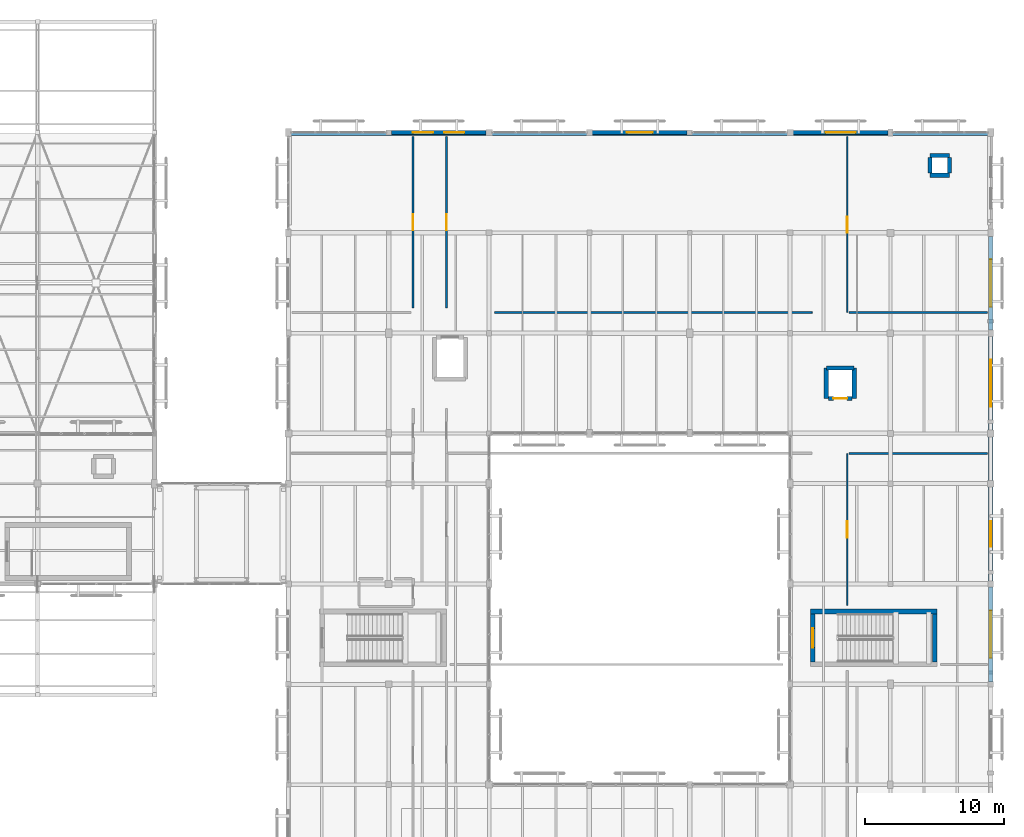
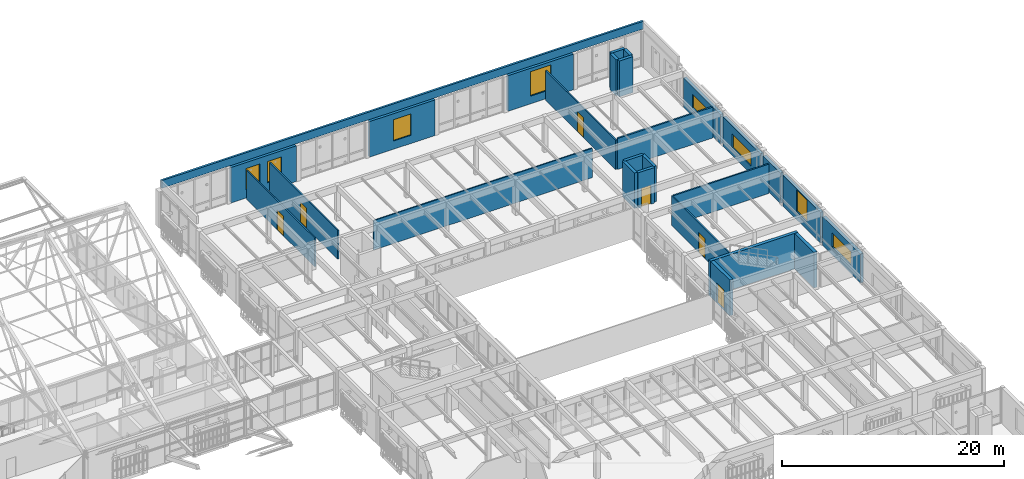
# One storey, part 187 of 217: 27 walls, 8 windows, 6 doors, 14 openings.
"""IFC4 building model written with IfcOpenShell, lengths in metres."""

from ifc_helpers import new_model, si_unit, direction, frame, frame_2d, origin, place, context, subcontext, project, spatial, rectangle, extrude, material, layer, layer_set, type_object, element, fill, save


model = new_model("IFC4")

# Units and contexts
model_context = context("Model", 3, precision=1e-05, world=origin(), true_north=direction((0.0, 1.0)))
body_context = subcontext(model_context, "Body", "Model", "MODEL_VIEW")
ifc_project = project(units=[si_unit("LENGTHUNIT", "METRE"), si_unit("AREAUNIT", "SQUARE_METRE"), si_unit("VOLUMEUNIT", "CUBIC_METRE"), si_unit("PLANEANGLEUNIT", "RADIAN"), si_unit("MASSUNIT", "GRAM", prefix="KILO")], contexts=[model_context])

# Site, building, storey
site_placement = place(None, origin())
site = spatial("IfcSite", under=ifc_project, at=site_placement, CompositionType="ELEMENT")
building_placement = place(site_placement, origin())
building = spatial("IfcBuilding", under=site, at=building_placement, Name="Mazaris Harbour Polytechnic", CompositionType="ELEMENT")
storey_placement = place(building_placement, frame((0.0, 0.0, 9.60009765625)))
storey = spatial("IfcBuildingStorey", under=building, at=storey_placement, Name="L02", CompositionType="ELEMENT", Elevation=9.60009765625)

# Walls
ifc_material_1 = material(Name="Gypsum Board and Mineral Wool")
ifc_layer_1 = layer(ifc_material_1, 0.1201171875, Name="Gypsum Board and Mineral Wool")
ifc_layer_set_1 = layer_set([ifc_layer_1], Name="Gypsum Board and Mineral Wool")
wall_type_1 = type_object("IfcWallType", Name="Acoustic Stud Partition 120", PredefinedType="PARTITIONING", material=ifc_layer_set_1)
wall_1_placement = place(storey_placement, frame((137.205078125, 95.074951171875, 0.0), z_axis=(0.0, 0.0, 1.0), x_axis=(1.0, 0.0, 0.0)))
element("IfcWall", 1, at=wall_1_placement, inside=storey, type_object=wall_type_1, Name="V5 L02 Partition 616", PredefinedType="PARTITIONING", context=body_context, shape_type="SweptSolid", body=[
    extrude(rectangle(XDim=22.77490234375, YDim=0.1201171875, at=frame_2d((11.387451171875, 0.0))), origin(), (0.0, 0.0, 1.0), 3.239990234375),
])
ifc_material_2 = material(Name="Double Gypsum and Mineral Wool")
ifc_layer_2 = layer(ifc_material_2, 0.14990234375, Name="Double Gypsum and Mineral Wool")
ifc_layer_set_2 = layer_set([ifc_layer_2], Name="Double Gypsum and Mineral Wool")
wall_type_2 = type_object("IfcWallType", Name="Classroom Acoustic Partition 150", PredefinedType="PARTITIONING", material=ifc_layer_set_2)
wall_2_placement = place(storey_placement, frame((162.6201171875, 84.97509765625, 0.0), z_axis=(0.0, 0.0, 1.0), x_axis=(1.0, 0.0, 0.0)))
element("IfcWall", 2, at=wall_2_placement, inside=storey, type_object=wall_type_2, Name="V5 L02 Partition 623", PredefinedType="PARTITIONING", context=body_context, shape_type="SweptSolid", body=[
    extrude(rectangle(XDim=9.929931640625, YDim=0.14990234375, at=frame_2d((4.96484375, 0.0))), origin(), (0.0, 0.0, 1.0), 3.239990234375),
])
ifc_material_3 = material(Name="Fireboard and Mineral Wool")
ifc_layer_3 = layer(ifc_material_3, 0.1650390625, Name="Fireboard and Mineral Wool")
ifc_layer_set_3 = layer_set([ifc_layer_3], Name="Fireboard and Mineral Wool")
wall_type_3 = type_object("IfcWallType", Name="Laboratory Rated Partition 165", PredefinedType="PARTITIONING", material=ifc_layer_set_3)
wall_3_placement = place(storey_placement, frame((162.6201171875, 95.074951171875, 0.0), z_axis=(0.0, 0.0, 1.0), x_axis=(1.0, 0.0, 0.0)))
element("IfcWall", 3, at=wall_3_placement, inside=storey, type_object=wall_type_3, Name="V5 L02 Partition 624", PredefinedType="PARTITIONING", context=body_context, shape_type="SweptSolid", body=[
    extrude(rectangle(XDim=9.929931640625, YDim=0.1650390625, at=frame_2d((4.96484375, 0.0))), origin(), (0.0, 0.0, 1.0), 3.39990234375),
])

# Wall, openings, windows
ifc_material_4 = material(Name="Algerian Buff Limestone and Mineral Wool", Category="masonry")
ifc_layer_4 = layer(ifc_material_4, 0.31005859375, Name="Algerian Buff Limestone and Mineral Wool")
ifc_layer_set_4 = layer_set([ifc_layer_4], Name="Algerian Buff Limestone and Mineral Wool")
wall_type_4 = type_object("IfcWallType", Name="Limestone Studio Wall 310", PredefinedType="STANDARD", material=ifc_layer_set_4)
wall_4_placement = place(storey_placement, frame((129.781982421875, 108.0, 0.0), z_axis=(0.0, 0.0, 1.0), x_axis=(1.0, 0.0, 0.0)))
wall_4 = element("IfcWall", 4, at=wall_4_placement, inside=storey, type_object=wall_type_4, Name="V5 L02 Exterior Wall 339", PredefinedType="STANDARD", context=body_context, shape_type="SweptSolid", body=[
    extrude(rectangle(XDim=6.7958984375, YDim=0.31005859375, at=frame_2d((3.39794921875, 0.0))), origin(), (0.0, 0.0, 1.0), 3.919921875),
])
opening_1_placement = place(wall_4_placement, frame((1.548095703125, 0.0, 0.89990234375)))
opening_1 = element("IfcOpeningElement", 5, at=opening_1_placement, cuts=wall_4, Name="Opening WN-19", PredefinedType="OPENING", context=body_context, shape_type="SweptSolid", body=[
    extrude(rectangle(XDim=1.449951171875, YDim=2.35009765625, at=frame_2d((0.72509765625, 1.175048828125))), frame((0.0, 0.1650390625, 0.0), z_axis=(0.0, -1.0, 0.0), x_axis=(1.0, 0.0, 0.0)), (0.0, 0.0, 1.0), 0.330078125),
])
opening_2_placement = place(wall_4_placement, frame((3.798095703125, 0.0, 0.89990234375)))
opening_2 = element("IfcOpeningElement", 6, at=opening_2_placement, cuts=wall_4, Name="Opening WN-19", PredefinedType="OPENING", context=body_context, shape_type="SweptSolid", body=[
    extrude(rectangle(XDim=1.449951171875, YDim=2.35009765625, at=frame_2d((0.72509765625, 1.175048828125))), frame((0.0, 0.1650390625, 0.0), z_axis=(0.0, -1.0, 0.0), x_axis=(1.0, 0.0, 0.0)), (0.0, 0.0, 1.0), 0.330078125),
])
ifc_material_5 = material(Name="Thermally Broken Bronze Aluminium and Low-E Glass", Category="aluminium")
window_type_1 = type_object("IfcWindowType", Name="Courtyard Gallery Window 1450x2350", PartitioningType="DOUBLE_PANEL_VERTICAL", PredefinedType="WINDOW", material=ifc_material_5)
window_1_placement = place(opening_1_placement, origin())
window_1 = element("IfcWindow", 7, at=window_1_placement, inside=storey, type_object=window_type_1, Name="WN-0390", OverallHeight=2.35009765625, OverallWidth=1.449951171875, PartitioningType="DOUBLE_PANEL_VERTICAL", PredefinedType="WINDOW", context=body_context, shape_type="SweptSolid", body=[
    extrude(rectangle(XDim=1.449951171875, YDim=2.35009765625, at=frame_2d((0.72509765625, 1.175048828125))), frame((0.0, 0.030029296875, 0.0), z_axis=(0.0, -1.0, 0.0), x_axis=(1.0, 0.0, 0.0)), (0.0, 0.0, 1.0), 0.06005859375),
])
fill(opening_1, window_1)
window_2_placement = place(opening_2_placement, origin())
window_2 = element("IfcWindow", 8, at=window_2_placement, inside=storey, type_object=window_type_1, Name="WN-0391", OverallHeight=2.35009765625, OverallWidth=1.449951171875, PartitioningType="DOUBLE_PANEL_VERTICAL", PredefinedType="WINDOW", context=body_context, shape_type="SweptSolid", body=[
    extrude(rectangle(XDim=1.449951171875, YDim=2.35009765625, at=frame_2d((0.72509765625, 1.175048828125))), frame((0.0, 0.030029296875, 0.0), z_axis=(0.0, -1.0, 0.0), x_axis=(1.0, 0.0, 0.0)), (0.0, 0.0, 1.0), 0.06005859375),
])
fill(opening_2, window_2)

# Wall, opening, window
wall_5_placement = place(storey_placement, frame((144.201904296875, 108.0, 0.0), z_axis=(0.0, 0.0, 1.0), x_axis=(1.0, 0.0, 0.0)))
wall_5 = element("IfcWall", 9, at=wall_5_placement, inside=storey, type_object=wall_type_4, Name="V5 L02 Exterior Wall 340", PredefinedType="STANDARD", context=body_context, shape_type="SweptSolid", body=[
    extrude(rectangle(XDim=6.816162109375, YDim=0.31005859375, at=frame_2d((3.408203125, 0.0))), origin(), (0.0, 0.0, 1.0), 3.919921875),
])
opening_3_placement = place(wall_5_placement, frame((2.48291015625, 0.0, 0.89990234375)))
opening_3 = element("IfcOpeningElement", 10, at=opening_3_placement, cuts=wall_5, Name="Opening WN-21", PredefinedType="OPENING", context=body_context, shape_type="SweptSolid", body=[
    extrude(rectangle(XDim=1.85009765625, YDim=2.35009765625, at=frame_2d((0.925048828125, 1.175048828125))), frame((0.0, 0.1650390625, 0.0), z_axis=(0.0, -1.0, 0.0), x_axis=(1.0, 0.0, 0.0)), (0.0, 0.0, 1.0), 0.330078125),
])
ifc_material_6 = material(Name="Thermally Broken Bronze Aluminium and Low-E Glass", Category="aluminium")
window_type_2 = type_object("IfcWindowType", Name="Courtyard Gallery Window 1850x2350", PartitioningType="DOUBLE_PANEL_VERTICAL", PredefinedType="WINDOW", material=ifc_material_6)
window_3_placement = place(opening_3_placement, origin())
window_3 = element("IfcWindow", 11, at=window_3_placement, inside=storey, type_object=window_type_2, Name="WN-0392", OverallHeight=2.35009765625, OverallWidth=1.85009765625, PartitioningType="DOUBLE_PANEL_VERTICAL", PredefinedType="WINDOW", context=body_context, shape_type="SweptSolid", body=[
    extrude(rectangle(XDim=1.85009765625, YDim=2.35009765625, at=frame_2d((0.925048828125, 1.175048828125))), frame((0.0, 0.030029296875, 0.0), z_axis=(0.0, -1.0, 0.0), x_axis=(1.0, 0.0, 0.0)), (0.0, 0.0, 1.0), 0.06005859375),
])
fill(opening_3, window_3)

wall_6_placement = place(storey_placement, frame((158.6220703125, 108.0, 0.0), z_axis=(0.0, 0.0, 1.0), x_axis=(1.0, 0.0, 0.0)))
wall_6 = element("IfcWall", 12, at=wall_6_placement, inside=storey, type_object=wall_type_4, Name="V5 L02 Exterior Wall 341", PredefinedType="STANDARD", context=body_context, shape_type="SweptSolid", body=[
    extrude(rectangle(XDim=6.805908203125, YDim=0.31005859375, at=frame_2d((3.40283203125, 0.0))), origin(), (0.0, 0.0, 1.0), 3.919921875),
])
opening_4_placement = place(wall_6_placement, frame((2.327880859375, 0.0, 0.85009765625)))
opening_4 = element("IfcOpeningElement", 13, at=opening_4_placement, cuts=wall_6, Name="Opening WN-23", PredefinedType="OPENING", context=body_context, shape_type="SweptSolid", body=[
    extrude(rectangle(XDim=2.14990234375, YDim=2.699951171875, at=frame_2d((1.074951171875, 1.35009765625))), frame((0.0, 0.1650390625, 0.0), z_axis=(0.0, -1.0, 0.0), x_axis=(1.0, 0.0, 0.0)), (0.0, 0.0, 1.0), 0.330078125),
])
ifc_material_7 = material(Name="Thermally Broken Bronze Aluminium and Low-E Glass", Category="aluminium")
window_type_3 = type_object("IfcWindowType", Name="Harbour Promenade Window 2150x2700", PartitioningType="DOUBLE_PANEL_VERTICAL", PredefinedType="WINDOW", material=ifc_material_7)
window_4_placement = place(opening_4_placement, origin())
window_4 = element("IfcWindow", 14, at=window_4_placement, inside=storey, type_object=window_type_3, Name="WN-0393", OverallHeight=2.699951171875, OverallWidth=2.14990234375, PartitioningType="DOUBLE_PANEL_VERTICAL", PredefinedType="WINDOW", context=body_context, shape_type="SweptSolid", body=[
    extrude(rectangle(XDim=2.14990234375, YDim=2.699951171875, at=frame_2d((1.074951171875, 1.35009765625))), frame((0.0, 0.030029296875, 0.0), z_axis=(0.0, -1.0, 0.0), x_axis=(1.0, 0.0, 0.0)), (0.0, 0.0, 1.0), 0.06005859375),
])
fill(opening_4, window_4)

wall_7_placement = place(storey_placement, frame((172.800048828125, 75.39794921875, 0.0), z_axis=(0.0, 0.0, 1.0), x_axis=(0.0, -1.0, 0.0)))
wall_7 = element("IfcWall", 15, at=wall_7_placement, inside=storey, type_object=wall_type_4, Name="V5 L02 Exterior Wall 349", PredefinedType="STANDARD", context=body_context, shape_type="SweptSolid", body=[
    extrude(rectangle(XDim=6.81591796875, YDim=0.31005859375, at=frame_2d((3.407958984375, 0.0))), origin(), (0.0, 0.0, 1.0), 3.179931640625),
])
opening_5_placement = place(wall_7_placement, frame((1.7080078125, 0.0, 0.89990234375)))
opening_5 = element("IfcOpeningElement", 16, at=opening_5_placement, cuts=wall_7, Name="Opening WN-16", PredefinedType="OPENING", context=body_context, shape_type="SweptSolid", body=[
    extrude(rectangle(XDim=3.39990234375, YDim=1.5, at=frame_2d((1.699951171875, 0.75))), frame((0.0, 0.1650390625, 0.0), z_axis=(0.0, -1.0, 0.0), x_axis=(1.0, 0.0, 0.0)), (0.0, 0.0, 1.0), 0.330078125),
])
ifc_material_8 = material(Name="Thermally Broken Bronze Aluminium and Low-E Glass", Category="aluminium")
window_type_4 = type_object("IfcWindowType", Name="Workshop Clerestory Ribbon 3400x1500", PartitioningType="DOUBLE_PANEL_VERTICAL", PredefinedType="WINDOW", material=ifc_material_8)
window_5_placement = place(opening_5_placement, origin())
window_5 = element("IfcWindow", 17, at=window_5_placement, inside=storey, type_object=window_type_4, Name="WN-0400", OverallHeight=1.5, OverallWidth=3.39990234375, PartitioningType="DOUBLE_PANEL_VERTICAL", PredefinedType="WINDOW", context=body_context, shape_type="SweptSolid", body=[
    extrude(rectangle(XDim=3.39990234375, YDim=1.5, at=frame_2d((1.699951171875, 0.75))), frame((0.0, 0.030029296875, 0.0), z_axis=(0.0, -1.0, 0.0), x_axis=(1.0, 0.0, 0.0)), (0.0, 0.0, 1.0), 0.06005859375),
])
fill(opening_5, window_5)

wall_8_placement = place(storey_placement, frame((172.800048828125, 82.577880859375, 0.0), z_axis=(0.0, 0.0, 1.0), x_axis=(0.0, -1.0, 0.0)))
wall_8 = element("IfcWall", 18, at=wall_8_placement, inside=storey, type_object=wall_type_4, Name="V5 L02 Exterior Wall 350", PredefinedType="STANDARD", context=body_context, shape_type="SweptSolid", body=[
    extrude(rectangle(XDim=6.77587890625, YDim=0.31005859375, at=frame_2d((3.387939453125, 0.0))), origin(), (0.0, 0.0, 1.0), 3.39990234375),
])
opening_6_placement = place(wall_8_placement, frame((2.462890625, 0.0, 0.89990234375)))
opening_6 = element("IfcOpeningElement", 19, at=opening_6_placement, cuts=wall_8, Name="Opening WN-21", PredefinedType="OPENING", context=body_context, shape_type="SweptSolid", body=[
    extrude(rectangle(XDim=1.85009765625, YDim=2.35009765625, at=frame_2d((0.925048828125, 1.175048828125))), frame((0.0, 0.1650390625, 0.0), z_axis=(0.0, -1.0, 0.0), x_axis=(1.0, 0.0, 0.0)), (0.0, 0.0, 1.0), 0.330078125),
])
window_6_placement = place(opening_6_placement, origin())
window_6 = element("IfcWindow", 20, at=window_6_placement, inside=storey, type_object=window_type_2, Name="WN-0401", OverallHeight=2.35009765625, OverallWidth=1.85009765625, PartitioningType="DOUBLE_PANEL_VERTICAL", PredefinedType="WINDOW", context=body_context, shape_type="SweptSolid", body=[
    extrude(rectangle(XDim=1.85009765625, YDim=2.35009765625, at=frame_2d((0.925048828125, 1.175048828125))), frame((0.0, 0.030029296875, 0.0), z_axis=(0.0, -1.0, 0.0), x_axis=(1.0, 0.0, 0.0)), (0.0, 0.0, 1.0), 0.06005859375),
])
fill(opening_6, window_6)

# Wall
wall_9_placement = place(storey_placement, frame((172.800048828125, 86.157958984375, 0.0), z_axis=(0.0, 0.0, 1.0), x_axis=(0.0, -1.0, 0.0)))
element("IfcWall", 21, at=wall_9_placement, inside=storey, type_object=wall_type_4, Name="V5 L02 Exterior Wall 351", PredefinedType="STANDARD", context=body_context, shape_type="SweptSolid", body=[
    extrude(rectangle(XDim=3.135986328125, YDim=0.31005859375, at=frame_2d((1.56787109375, 0.0))), origin(), (0.0, 0.0, 1.0), 3.33984375),
])

# Wall, opening, window
wall_10_placement = place(storey_placement, frame((172.800048828125, 93.367919921875, 0.0), z_axis=(0.0, 0.0, 1.0), x_axis=(0.0, -1.0, 0.0)))
wall_10 = element("IfcWall", 22, at=wall_10_placement, inside=storey, type_object=wall_type_4, Name="V5 L02 Exterior Wall 352", PredefinedType="STANDARD", context=body_context, shape_type="SweptSolid", body=[
    extrude(rectangle(XDim=6.725830078125, YDim=0.31005859375, at=frame_2d((3.36279296875, 0.0))), origin(), (0.0, 0.0, 1.0), 3.27978515625),
])
opening_7_placement = place(wall_10_placement, frame((1.6630859375, 0.0, 0.89990234375)))
opening_7 = element("IfcOpeningElement", 23, at=opening_7_placement, cuts=wall_10, Name="Opening WN-16", PredefinedType="OPENING", context=body_context, shape_type="SweptSolid", body=[
    extrude(rectangle(XDim=3.39990234375, YDim=1.5, at=frame_2d((1.699951171875, 0.75))), frame((0.0, 0.1650390625, 0.0), z_axis=(0.0, -1.0, 0.0), x_axis=(1.0, 0.0, 0.0)), (0.0, 0.0, 1.0), 0.330078125),
])
window_7_placement = place(opening_7_placement, origin())
window_7 = element("IfcWindow", 24, at=window_7_placement, inside=storey, type_object=window_type_4, Name="WN-0402", OverallHeight=1.5, OverallWidth=3.39990234375, PartitioningType="DOUBLE_PANEL_VERTICAL", PredefinedType="WINDOW", context=body_context, shape_type="SweptSolid", body=[
    extrude(rectangle(XDim=3.39990234375, YDim=1.5, at=frame_2d((1.699951171875, 0.75))), frame((0.0, 0.030029296875, 0.0), z_axis=(0.0, -1.0, 0.0), x_axis=(1.0, 0.0, 0.0)), (0.0, 0.0, 1.0), 0.06005859375),
])
fill(opening_7, window_7)

wall_11_placement = place(storey_placement, frame((172.800048828125, 100.5380859375, 0.0), z_axis=(0.0, 0.0, 1.0), x_axis=(0.0, -1.0, 0.0)))
wall_11 = element("IfcWall", 25, at=wall_11_placement, inside=storey, type_object=wall_type_4, Name="V5 L02 Exterior Wall 353", PredefinedType="STANDARD", context=body_context, shape_type="SweptSolid", body=[
    extrude(rectangle(XDim=6.7060546875, YDim=0.31005859375, at=frame_2d((3.35302734375, 0.0))), origin(), (0.0, 0.0, 1.0), 3.239990234375),
])
opening_8_placement = place(wall_11_placement, frame((1.653076171875, 0.0, 0.89990234375)))
opening_8 = element("IfcOpeningElement", 26, at=opening_8_placement, cuts=wall_11, Name="Opening WN-16", PredefinedType="OPENING", context=body_context, shape_type="SweptSolid", body=[
    extrude(rectangle(XDim=3.39990234375, YDim=1.5, at=frame_2d((1.699951171875, 0.75))), frame((0.0, 0.1650390625, 0.0), z_axis=(0.0, -1.0, 0.0), x_axis=(1.0, 0.0, 0.0)), (0.0, 0.0, 1.0), 0.330078125),
])
window_8_placement = place(opening_8_placement, origin())
window_8 = element("IfcWindow", 27, at=window_8_placement, inside=storey, type_object=window_type_4, Name="WN-0403", OverallHeight=1.5, OverallWidth=3.39990234375, PartitioningType="DOUBLE_PANEL_VERTICAL", PredefinedType="WINDOW", context=body_context, shape_type="SweptSolid", body=[
    extrude(rectangle(XDim=3.39990234375, YDim=1.5, at=frame_2d((1.699951171875, 0.75))), frame((0.0, 0.030029296875, 0.0), z_axis=(0.0, -1.0, 0.0), x_axis=(1.0, 0.0, 0.0)), (0.0, 0.0, 1.0), 0.06005859375),
])
fill(opening_8, window_8)

# Walls
ifc_material_9 = material(Name="Concrete C40/50", Category="concrete")
ifc_layer_5 = layer(ifc_material_9, 0.324951171875, Name="Concrete C40/50")
ifc_layer_set_5 = layer_set([ifc_layer_5], Name="Concrete C40/50")
wall_type_5 = type_object("IfcWallType", Name="RC Core Shear Wall 325", PredefinedType="SHEAR", material=ifc_layer_set_5)
wall_12_placement = place(storey_placement, frame((168.949951171875, 73.625, 0.0), z_axis=(0.0, 0.0, 1.0), x_axis=(-1.0, 0.0, 0.0)))
element("IfcWall", 28, at=wall_12_placement, inside=storey, type_object=wall_type_5, Name="Core ST10 L02 Shear Wall N", PredefinedType="SHEAR", context=body_context, shape_type="SweptSolid", body=[
    extrude(rectangle(XDim=9.099853515625, YDim=0.324951171875, at=frame_2d((4.5498046875, 0.0))), origin(), (0.0, 0.0, 1.0), 3.919921875),
])
wall_13_placement = place(storey_placement, frame((168.77490234375, 70.0, 0.0), z_axis=(0.0, 0.0, 1.0), x_axis=(0.0, 1.0, 0.0)))
element("IfcWall", 29, at=wall_13_placement, inside=storey, type_object=wall_type_5, Name="Core ST10 L02 Shear Wall E", PredefinedType="SHEAR", context=body_context, shape_type="SweptSolid", body=[
    extrude(rectangle(XDim=3.449951171875, YDim=0.324951171875, at=frame_2d((1.72509765625, 0.0))), origin(), (0.0, 0.0, 1.0), 3.919921875),
])

# Wall, opening, door
wall_14_placement = place(storey_placement, frame((160.02490234375, 73.449951171875, 0.0), z_axis=(0.0, 0.0, 1.0), x_axis=(0.0, -1.0, 0.0)))
wall_14 = element("IfcWall", 30, at=wall_14_placement, inside=storey, type_object=wall_type_5, Name="Core ST10 L02 Entrance Shear Wall", PredefinedType="SHEAR", context=body_context, shape_type="SweptSolid", body=[
    extrude(rectangle(XDim=3.449951171875, YDim=0.324951171875, at=frame_2d((1.72509765625, 0.0))), origin(), (0.0, 0.0, 1.0), 3.919921875),
])
opening_9_placement = place(wall_14_placement, frame((1.034912109375, 0.0, 0.0)))
opening_9 = element("IfcOpeningElement", 31, at=opening_9_placement, cuts=wall_14, Name="Opening SD-01", PredefinedType="OPENING", context=body_context, shape_type="SweptSolid", body=[
    extrude(rectangle(XDim=1.3798828125, YDim=2.199951171875, at=frame_2d((0.68994140625, 1.10009765625))), frame((0.0, 0.17236328125, 0.0), z_axis=(0.0, -1.0, 0.0), x_axis=(1.0, 0.0, 0.0)), (0.0, 0.0, 1.0), 0.344970703125),
])
ifc_material_10 = material(Name="Glulam Timber and Fire Glass", Category="wood")
door_type_1 = type_object("IfcDoorType", Name="Protected Stair Lobby Fire Door 1380x2200", OperationType="DOUBLE_DOOR_SINGLE_SWING", PredefinedType="DOOR", material=ifc_material_10)
door_1_placement = place(opening_9_placement, origin())
door_1 = element("IfcDoor", 32, at=door_1_placement, inside=storey, type_object=door_type_1, Name="SD-051", OperationType="DOUBLE_DOOR_SINGLE_SWING", OverallHeight=2.199951171875, OverallWidth=1.3798828125, PredefinedType="DOOR", context=body_context, shape_type="SweptSolid", body=[
    extrude(rectangle(XDim=1.3798828125, YDim=2.199951171875, at=frame_2d((0.68994140625, 1.10009765625))), frame((0.0, 0.02490234375, 0.0), z_axis=(0.0, -1.0, 0.0), x_axis=(1.0, 0.0, 0.0)), (0.0, 0.0, 1.0), 0.050048828125),
])
fill(opening_9, door_1)

# Walls
ifc_material_11 = material(Name="Concrete C40/50", Category="concrete")
ifc_layer_6 = layer(ifc_material_11, 0.300048828125, Name="Concrete C40/50")
ifc_layer_set_6 = layer_set([ifc_layer_6], Name="Concrete C40/50")
wall_type_6 = type_object("IfcWallType", Name="RC Lift Shaft Wall 300", PredefinedType="SHEAR", material=ifc_layer_set_6)
wall_15_placement = place(storey_placement, frame((168.429931640625, 104.929931640625, 0.0), z_axis=(0.0, 0.0, 1.0), x_axis=(1.0, 0.0, 0.0)))
element("IfcWall", 33, at=wall_15_placement, inside=storey, type_object=wall_type_6, Name="V5 L02 Riser Enclosure Wall 2-1", PredefinedType="SHEAR", context=body_context, shape_type="SweptSolid", body=[
    extrude(rectangle(XDim=1.420166015625, YDim=0.300048828125, at=frame_2d((0.7099609375, 0.0))), origin(), (0.0, 0.0, 1.0), 3.9599609375),
])
wall_16_placement = place(storey_placement, frame((169.85009765625, 105.090087890625, 0.0), z_axis=(0.0, 0.0, 1.0), x_axis=(0.0, 1.0, 0.0)))
element("IfcWall", 34, at=wall_16_placement, inside=storey, type_object=wall_type_6, Name="V5 L02 Riser Enclosure Wall 2-2", PredefinedType="SHEAR", context=body_context, shape_type="SweptSolid", body=[
    extrude(rectangle(XDim=1.099853515625, YDim=0.300048828125, at=frame_2d((0.5498046875, 0.0))), origin(), (0.0, 0.0, 1.0), 3.9599609375),
])
wall_17_placement = place(storey_placement, frame((169.85009765625, 106.35009765625, 0.0), z_axis=(0.0, 0.0, 1.0), x_axis=(-1.0, 0.0, 0.0)))
element("IfcWall", 35, at=wall_17_placement, inside=storey, type_object=wall_type_6, Name="V5 L02 Riser Enclosure Wall 2-3", PredefinedType="SHEAR", context=body_context, shape_type="SweptSolid", body=[
    extrude(rectangle(XDim=1.420166015625, YDim=0.300048828125, at=frame_2d((0.7099609375, 0.0))), origin(), (0.0, 0.0, 1.0), 3.9599609375),
])
wall_18_placement = place(storey_placement, frame((168.429931640625, 106.18994140625, 0.0), z_axis=(0.0, 0.0, 1.0), x_axis=(0.0, -1.0, 0.0)))
element("IfcWall", 36, at=wall_18_placement, inside=storey, type_object=wall_type_6, Name="V5 L02 Riser Enclosure Wall 2-4", PredefinedType="SHEAR", context=body_context, shape_type="SweptSolid", body=[
    extrude(rectangle(XDim=1.099853515625, YDim=0.300048828125, at=frame_2d((0.5498046875, 0.0))), origin(), (0.0, 0.0, 1.0), 3.9599609375),
])
wall_19_placement = place(storey_placement, frame((163.0, 91.10009765625, 0.0), z_axis=(0.0, 0.0, 1.0), x_axis=(-1.0, 0.0, 0.0)))
element("IfcWall", 37, at=wall_19_placement, inside=storey, type_object=wall_type_6, Name="Lift LP-04 L02 North Shaft Wall", PredefinedType="SHEAR", context=body_context, shape_type="SweptSolid", body=[
    extrude(rectangle(XDim=2.0, YDim=0.300048828125, at=frame_2d((1.0, 0.0))), origin(), (0.0, 0.0, 1.0), 3.919921875),
])
for number, where, z_axis, x_axis, name in (
    (38, (161.0, 91.10009765625, 0.0), (0.0, 0.0, 1.0), (0.0, -1.0, 0.0), "Lift LP-04 L02 West Shaft Wall"),
    (39, (163.0, 88.89990234375, 0.0), (0.0, 0.0, 1.0), (0.0, 1.0, 0.0), "Lift LP-04 L02 East Shaft Wall"),
):
    element("IfcWall", number, at=place(storey_placement, frame(where, z_axis=z_axis, x_axis=x_axis)), inside=storey, type_object=wall_type_6, Name=name, PredefinedType="SHEAR", context=body_context, shape_type="SweptSolid", body=[
        extrude(rectangle(XDim=2.2001953125, YDim=0.300048828125, at=frame_2d((1.10009765625, 0.0))), origin(), (0.0, 0.0, 1.0), 3.919921875),
    ])

# Wall, opening, door
wall_20_placement = place(storey_placement, frame((162.860107421875, 88.89990234375, 0.0), z_axis=(0.0, 0.0, 1.0), x_axis=(-1.0, 0.0, 0.0)))
wall_20 = element("IfcWall", 40, at=wall_20_placement, inside=storey, type_object=wall_type_6, Name="Lift LP-04 L02 Front Shaft Wall", PredefinedType="SHEAR", context=body_context, shape_type="SweptSolid", body=[
    extrude(rectangle(XDim=1.72021484375, YDim=0.300048828125, at=frame_2d((0.860107421875, 0.0))), origin(), (0.0, 0.0, 1.0), 3.919921875),
])
opening_10_placement = place(wall_20_placement, frame((0.360107421875, 0.0, 0.0)))
opening_10 = element("IfcOpeningElement", 41, at=opening_10_placement, cuts=wall_20, Name="Opening LD-01", PredefinedType="OPENING", context=body_context, shape_type="SweptSolid", body=[
    extrude(rectangle(XDim=1.0, YDim=2.10009765625, at=frame_2d((0.5, 1.050048828125))), frame((0.0, 0.159912109375, 0.0), z_axis=(0.0, -1.0, 0.0), x_axis=(1.0, 0.0, 0.0)), (0.0, 0.0, 1.0), 0.320068359375),
])
ifc_material_12 = material(Name="Stainless Steel S355", Category="steel")
door_type_2 = type_object("IfcDoorType", Name="Sliding Passenger Lift Landing Door 1000x2100", OperationType="SLIDING_TO_LEFT", PredefinedType="DOOR", material=ifc_material_12)
door_2_placement = place(opening_10_placement, origin())
door_2 = element("IfcDoor", 42, at=door_2_placement, inside=storey, type_object=door_type_2, Name="LD-033", OperationType="SLIDING_TO_LEFT", OverallHeight=2.10009765625, OverallWidth=1.0, PredefinedType="DOOR", context=body_context, shape_type="SweptSolid", body=[
    extrude(rectangle(XDim=1.0, YDim=2.10009765625, at=frame_2d((0.5, 1.050048828125))), frame((0.0, 0.02490234375, 0.0), z_axis=(0.0, -1.0, 0.0), x_axis=(1.0, 0.0, 0.0)), (0.0, 0.0, 1.0), 0.050048828125),
])
fill(opening_10, door_2)

ifc_material_13 = material(Name="Gypsum Board and Mineral Wool")
ifc_layer_7 = layer(ifc_material_13, 0.135009765625, Name="Gypsum Board and Mineral Wool")
ifc_layer_set_7 = layer_set([ifc_layer_7], Name="Gypsum Board and Mineral Wool")
wall_type_7 = type_object("IfcWallType", Name="Studio Partition Wall 135", PredefinedType="PARTITIONING", material=ifc_layer_set_7)
wall_21_placement = place(storey_placement, frame((131.35009765625, 95.405029296875, 0.0), z_axis=(0.0, 0.0, 1.0), x_axis=(0.0, 1.0, 0.0)))
wall_21 = element("IfcWall", 43, at=wall_21_placement, inside=storey, type_object=wall_type_7, Name="V5 L02 Partition 609", PredefinedType="PARTITIONING", context=body_context, shape_type="SweptSolid", body=[
    extrude(rectangle(XDim=12.294921875, YDim=0.135009765625, at=frame_2d((6.1474609375, 0.0))), origin(), (0.0, 0.0, 1.0), 3.179931640625),
])
opening_11_placement = place(wall_21_placement, frame((5.5673828125, 0.0, 0.0)))
opening_11 = element("IfcOpeningElement", 44, at=opening_11_placement, cuts=wall_21, Name="Opening ID-03R", PredefinedType="OPENING", context=body_context, shape_type="SweptSolid", body=[
    extrude(rectangle(XDim=1.159912109375, YDim=2.199951171875, at=frame_2d((0.580078125, 1.10009765625))), frame((0.0, 0.077392578125, 0.0), z_axis=(0.0, -1.0, 0.0), x_axis=(1.0, 0.0, 0.0)), (0.0, 0.0, 1.0), 0.155029296875),
])
ifc_material_14 = material(Name="Glulam Timber and Acoustic Glass", Category="wood")
door_type_3 = type_object("IfcDoorType", Name="Design Studio Door RH 1160x2200", OperationType="SINGLE_SWING_RIGHT", PredefinedType="DOOR", material=ifc_material_14)
door_3_placement = place(opening_11_placement, origin())
door_3 = element("IfcDoor", 45, at=door_3_placement, inside=storey, type_object=door_type_3, Name="ID-0296", OperationType="SINGLE_SWING_RIGHT", OverallHeight=2.199951171875, OverallWidth=1.159912109375, PredefinedType="DOOR", context=body_context, shape_type="SweptSolid", body=[
    extrude(rectangle(XDim=1.159912109375, YDim=2.199951171875, at=frame_2d((0.580078125, 1.10009765625))), frame((0.0, 0.02490234375, 0.0), z_axis=(0.0, -1.0, 0.0), x_axis=(1.0, 0.0, 0.0)), (0.0, 0.0, 1.0), 0.050048828125),
])
fill(opening_11, door_3)

wall_22_placement = place(storey_placement, frame((133.75, 95.405029296875, 0.0), z_axis=(0.0, 0.0, 1.0), x_axis=(0.0, 1.0, 0.0)))
wall_22 = element("IfcWall", 46, at=wall_22_placement, inside=storey, type_object=wall_type_7, Name="V5 L02 Partition 617", PredefinedType="PARTITIONING", context=body_context, shape_type="SweptSolid", body=[
    extrude(rectangle(XDim=12.294921875, YDim=0.135009765625, at=frame_2d((6.1474609375, 0.0))), origin(), (0.0, 0.0, 1.0), 3.179931640625),
])
opening_12_placement = place(wall_22_placement, frame((5.572509765625, 0.0, 0.0)))
opening_12 = element("IfcOpeningElement", 47, at=opening_12_placement, cuts=wall_22, Name="Opening ID-03L", PredefinedType="OPENING", context=body_context, shape_type="SweptSolid", body=[
    extrude(rectangle(XDim=1.14990234375, YDim=2.199951171875, at=frame_2d((0.574951171875, 1.10009765625))), frame((0.0, 0.077392578125, 0.0), z_axis=(0.0, -1.0, 0.0), x_axis=(1.0, 0.0, 0.0)), (0.0, 0.0, 1.0), 0.155029296875),
])
ifc_material_15 = material(Name="Glulam Timber and Acoustic Glass", Category="wood")
door_type_4 = type_object("IfcDoorType", Name="Design Studio Door LH 1150x2200", OperationType="SINGLE_SWING_LEFT", PredefinedType="DOOR", material=ifc_material_15)
door_4_placement = place(opening_12_placement, origin())
door_4 = element("IfcDoor", 48, at=door_4_placement, inside=storey, type_object=door_type_4, Name="ID-0300", OperationType="SINGLE_SWING_LEFT", OverallHeight=2.199951171875, OverallWidth=1.14990234375, PredefinedType="DOOR", context=body_context, shape_type="SweptSolid", body=[
    extrude(rectangle(XDim=1.14990234375, YDim=2.199951171875, at=frame_2d((0.574951171875, 1.10009765625))), frame((0.0, 0.02490234375, 0.0), z_axis=(0.0, -1.0, 0.0), x_axis=(1.0, 0.0, 0.0)), (0.0, 0.0, 1.0), 0.050048828125),
])
fill(opening_12, door_4)

wall_23_placement = place(storey_placement, frame((162.5, 74.054931640625, 0.0), z_axis=(0.0, 0.0, 1.0), x_axis=(0.0, 1.0, 0.0)))
wall_23 = element("IfcWall", 49, at=wall_23_placement, inside=storey, type_object=wall_type_7, Name="V5 L02 Partition 622", PredefinedType="PARTITIONING", context=body_context, shape_type="SweptSolid", body=[
    extrude(rectangle(XDim=10.920166015625, YDim=0.135009765625, at=frame_2d((5.4599609375, 0.0))), origin(), (0.0, 0.0, 1.0), 3.239990234375),
])
opening_13_placement = place(wall_23_placement, frame((4.8798828125, 0.0, 0.0)))
opening_13 = element("IfcOpeningElement", 50, at=opening_13_placement, cuts=wall_23, Name="Opening ID-03R", PredefinedType="OPENING", context=body_context, shape_type="SweptSolid", body=[
    extrude(rectangle(XDim=1.159912109375, YDim=2.199951171875, at=frame_2d((0.580078125, 1.10009765625))), frame((0.0, 0.077392578125, 0.0), z_axis=(0.0, -1.0, 0.0), x_axis=(1.0, 0.0, 0.0)), (0.0, 0.0, 1.0), 0.155029296875),
])
door_5_placement = place(opening_13_placement, origin())
door_5 = element("IfcDoor", 51, at=door_5_placement, inside=storey, type_object=door_type_3, Name="ID-0303", OperationType="SINGLE_SWING_RIGHT", OverallHeight=2.199951171875, OverallWidth=1.159912109375, PredefinedType="DOOR", context=body_context, shape_type="SweptSolid", body=[
    extrude(rectangle(XDim=1.159912109375, YDim=2.199951171875, at=frame_2d((0.580078125, 1.10009765625))), frame((0.0, 0.02490234375, 0.0), z_axis=(0.0, -1.0, 0.0), x_axis=(1.0, 0.0, 0.0)), (0.0, 0.0, 1.0), 0.050048828125),
])
fill(opening_13, door_5)

wall_24_placement = place(storey_placement, frame((162.5, 95.074951171875, 0.0), z_axis=(0.0, 0.0, 1.0), x_axis=(0.0, 1.0, 0.0)))
wall_24 = element("IfcWall", 52, at=wall_24_placement, inside=storey, type_object=wall_type_7, Name="V5 L02 Partition 625", PredefinedType="PARTITIONING", context=body_context, shape_type="SweptSolid", body=[
    extrude(rectangle(XDim=12.625, YDim=0.135009765625, at=frame_2d((6.3125, 0.0))), origin(), (0.0, 0.0, 1.0), 3.239990234375),
])
opening_14_placement = place(wall_24_placement, frame((5.732421875, 0.0, 0.0)))
opening_14 = element("IfcOpeningElement", 53, at=opening_14_placement, cuts=wall_24, Name="Opening ID-03R", PredefinedType="OPENING", context=body_context, shape_type="SweptSolid", body=[
    extrude(rectangle(XDim=1.159912109375, YDim=2.199951171875, at=frame_2d((0.580078125, 1.10009765625))), frame((0.0, 0.077392578125, 0.0), z_axis=(0.0, -1.0, 0.0), x_axis=(1.0, 0.0, 0.0)), (0.0, 0.0, 1.0), 0.155029296875),
])
door_6_placement = place(opening_14_placement, origin())
door_6 = element("IfcDoor", 54, at=door_6_placement, inside=storey, type_object=door_type_3, Name="ID-0304", OperationType="SINGLE_SWING_RIGHT", OverallHeight=2.199951171875, OverallWidth=1.159912109375, PredefinedType="DOOR", context=body_context, shape_type="SweptSolid", body=[
    extrude(rectangle(XDim=1.159912109375, YDim=2.199951171875, at=frame_2d((0.580078125, 1.10009765625))), frame((0.0, 0.02490234375, 0.0), z_axis=(0.0, -1.0, 0.0), x_axis=(1.0, 0.0, 0.0)), (0.0, 0.0, 1.0), 0.050048828125),
])
fill(opening_14, door_6)

# Wall
ifc_material_16 = material(Name="Concrete C35/45", Category="concrete")
ifc_layer_8 = layer(ifc_material_16, 0.215087890625, Name="Concrete C35/45")
ifc_layer_set_8 = layer_set([ifc_layer_8], Name="Concrete C35/45")
wall_type_8 = type_object("IfcWallType", Name="Terrace Upstand Parapet 215", PredefinedType="PARAPET", material=ifc_layer_set_8)
wall_25_placement = place(storey_placement, frame((172.679931640625, 107.8798828125, 4.199951171875), z_axis=(0.0, 0.0, 1.0), x_axis=(-1.0, 0.0, 0.0)))
element("IfcWall", 55, at=wall_25_placement, inside=storey, type_object=wall_type_8, Name="L02 Roof Cornice Parapet 10", PredefinedType="PARAPET", context=body_context, shape_type="SweptSolid", body=[
    extrude(rectangle(XDim=50.159912109375, YDim=0.215087890625, at=frame_2d((25.080078125, 0.0))), origin(), (0.0, 0.0, 1.0), 0.849853515625),
])

save(model, "model.ifc")
